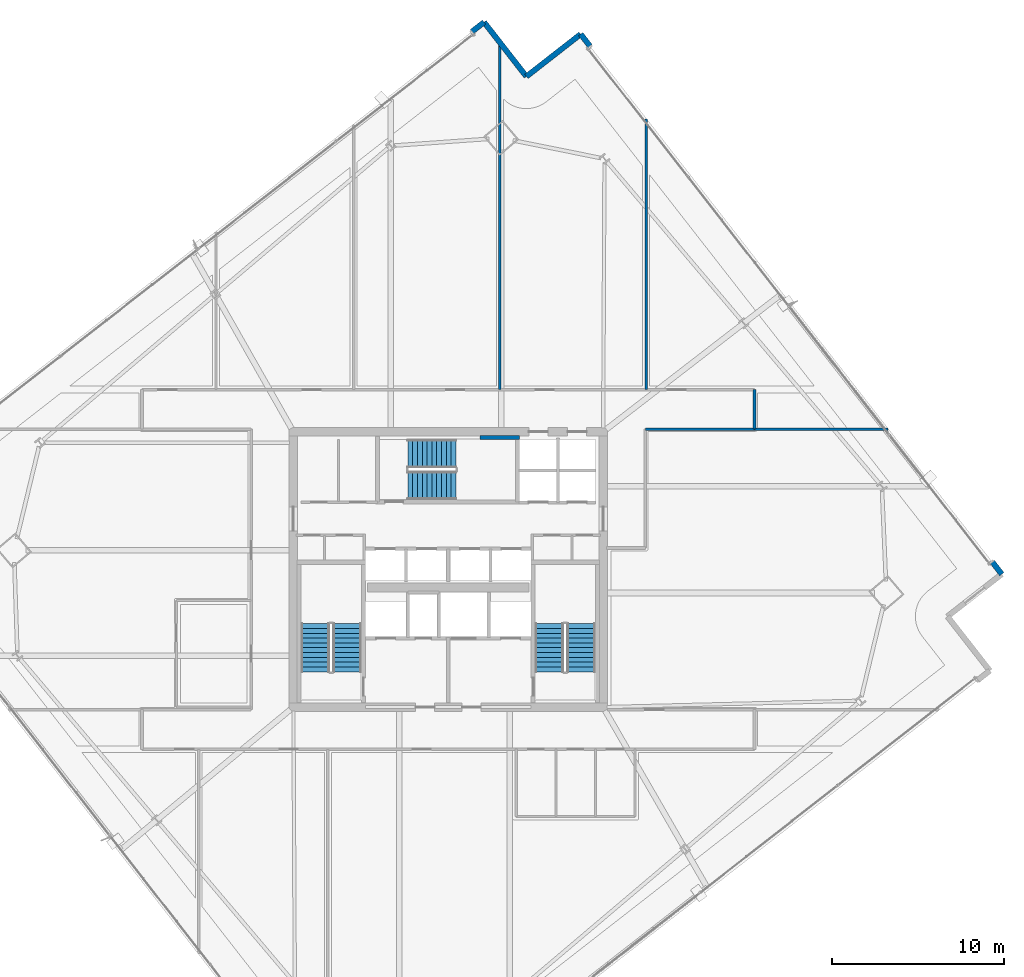
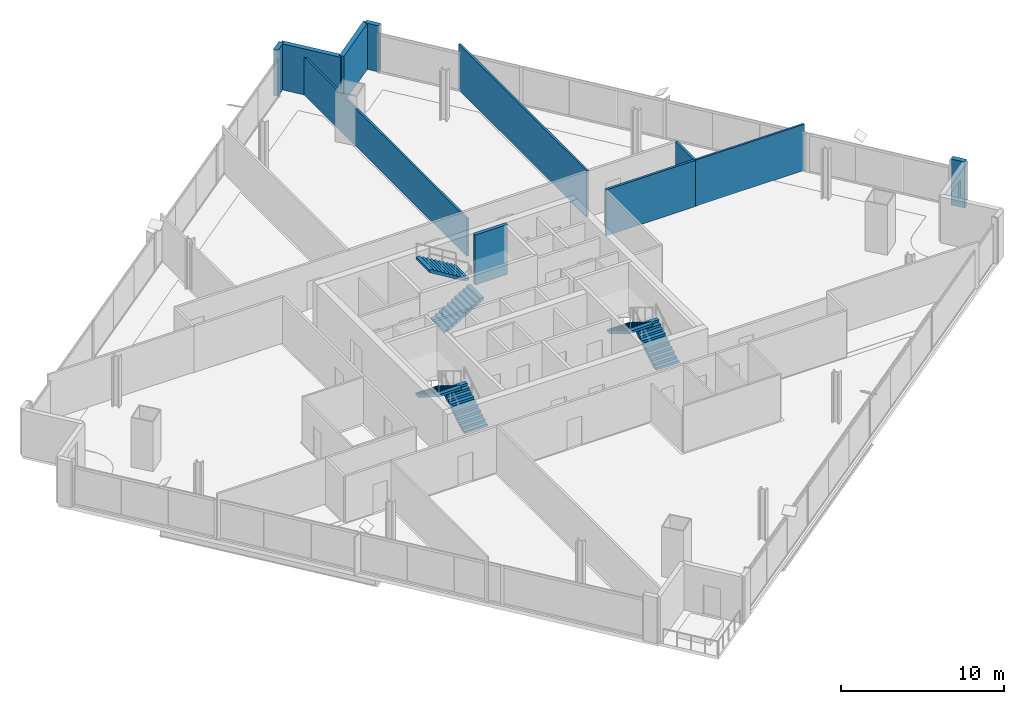
# One storey, part 27 of 32: 11 walls, 6 stair flights, 3 elements without a shape of their own.
"""IFC4 building model written with IfcOpenShell, lengths in metres."""

from ifc_helpers import new_model, si_unit, direction, frame, frame_2d, origin, place, context, subcontext, project, spatial, polyline, rectangle, outline, extrude, material, layer, layer_set, type_object, element, aggregate, save


model = new_model("IFC4")

# Units and contexts
model_context = context("Model", 3, precision=1e-05, world=origin(), true_north=direction((0.0, 1.0)))
body_context = subcontext(model_context, "Body", "Model", "MODEL_VIEW")
ifc_project = project(units=[si_unit("LENGTHUNIT", "METRE"), si_unit("AREAUNIT", "SQUARE_METRE"), si_unit("VOLUMEUNIT", "CUBIC_METRE"), si_unit("PLANEANGLEUNIT", "RADIAN"), si_unit("MASSUNIT", "GRAM", prefix="KILO")], contexts=[model_context])

# Site, building, storey
site_placement = place(None, origin())
site = spatial("IfcSite", under=ifc_project, at=site_placement, CompositionType="ELEMENT")
building_placement = place(site_placement, origin())
building = spatial("IfcBuilding", under=site, at=building_placement, Name="Haldenkirk Collegiate Tower", CompositionType="ELEMENT")
storey_placement = place(building_placement, frame((0.0, 0.0, 155.699951171875)))
storey = spatial("IfcBuildingStorey", under=building, at=storey_placement, Name="L38", CompositionType="ELEMENT", Elevation=155.699951171875)

# Walls
ifc_material_1 = material(Name="Precast concrete f'c 40 MPa", Category="concrete")
ifc_layer_1 = layer(ifc_material_1, 0.320068359375)
ifc_layer_set_1 = layer_set([ifc_layer_1], Name="Precast concrete f'c 40 MPa")
wall_type_1 = type_object("IfcWallType", Name="WL-EXT-TWR-320", PredefinedType="STANDARD", material=ifc_layer_set_1)
for number, where, z_axis, x_axis, name in (
    (1, (43.69482421875, 57.110595703125, 0.0), (0.0, 0.0, 1.0), (0.614954214778, -0.788562815333, 0.0), "L38 precast corner pier EL"),
    (2, (67.617431640625, 26.43603515625, 0.0), (0.0, 0.0, 1.0), (0.614954214778, -0.788562815333, 0.0), "L38 precast corner pier ER"),
):
    element("IfcWall", number, at=place(storey_placement, frame(where, z_axis=z_axis, x_axis=x_axis)), inside=storey, type_object=wall_type_1, Name=name, PredefinedType="STANDARD", context=body_context, shape_type="SweptSolid", body=[
        extrude(rectangle(XDim=0.89990234375, YDim=0.320068359375, at=frame_2d((0.449951171875, 0.0))), origin(), (0.0, 0.0, 1.0), 3.4599609375),
    ])
wall_1_placement = place(storey_placement, frame((40.540771484375, 54.650634765625, 0.0), z_axis=(0.0, 0.0, 1.0), x_axis=(0.788526577195, 0.615000680534, 0.0)))
element("IfcWall", 3, at=wall_1_placement, inside=storey, type_object=wall_type_1, Name="L38 bronze precast notch wall 05", PredefinedType="STANDARD", context=body_context, shape_type="SweptSolid", body=[
    extrude(rectangle(XDim=4.0, YDim=0.320068359375, at=frame_2d((2.0, 0.0))), origin(), (0.0, 0.0, 1.0), 3.4599609375),
])
wall_2_placement = place(storey_placement, frame((38.080810546875, 57.804931640625, 0.0), z_axis=(0.0, 0.0, 1.0), x_axis=(0.614971082366, -0.788549660994, 0.0)))
element("IfcWall", 4, at=wall_2_placement, inside=storey, type_object=wall_type_1, Name="L38 bronze precast notch wall 06", PredefinedType="STANDARD", context=body_context, shape_type="SweptSolid", body=[
    extrude(rectangle(XDim=4.000244140625, YDim=0.320068359375, at=frame_2d((2.0, 0.0))), origin(), (0.0, 0.0, 1.0), 3.4599609375),
])
wall_3_placement = place(storey_placement, frame((37.37109375, 57.25146484375, 0.0), z_axis=(0.0, 0.0, 1.0), x_axis=(0.788562815333, 0.614954214778, 0.0)))
element("IfcWall", 5, at=wall_3_placement, inside=storey, type_object=wall_type_1, Name="L38 precast corner pier NR", PredefinedType="STANDARD", context=body_context, shape_type="SweptSolid", body=[
    extrude(rectangle(XDim=0.89990234375, YDim=0.320068359375, at=frame_2d((0.449951171875, 0.0))), origin(), (0.0, 0.0, 1.0), 3.4599609375),
])
ifc_material_2 = material(Name="Acoustic fire-rated gypsum partition", Category="concrete")
ifc_layer_2 = layer(ifc_material_2, 0.159912109375)
ifc_layer_set_2 = layer_set([ifc_layer_2], Name="Acoustic fire-rated gypsum partition")
wall_type_2 = type_object("IfcWallType", Name="WL-INT-CORR-160", PredefinedType="PARTITIONING", material=ifc_layer_set_2)
wall_4_placement = place(storey_placement, frame((47.449951171875, 34.14990234375, 0.0), z_axis=(0.0, 0.0, 1.0), x_axis=(1.0, 0.0, 0.0)))
element("IfcWall", 6, at=wall_4_placement, inside=storey, type_object=wall_type_2, Name="L38 interior partition IW-L38-CNE", PredefinedType="PARTITIONING", context=body_context, shape_type="SweptSolid", body=[
    extrude(rectangle(XDim=6.35009765625, YDim=0.159912109375, at=frame_2d((3.175048828125, 0.0))), origin(), (0.0, 0.0, 1.0), 3.4599609375),
])
wall_5_placement = place(storey_placement, frame((53.800048828125, 34.14990234375, 0.0), z_axis=(0.0, 0.0, 1.0), x_axis=(0.0, 1.0, 0.0)))
element("IfcWall", 7, at=wall_5_placement, inside=storey, type_object=wall_type_2, Name="L38 interior partition IW-L38-CNR", PredefinedType="PARTITIONING", context=body_context, shape_type="SweptSolid", body=[
    extrude(rectangle(XDim=2.300048828125, YDim=0.159912109375, at=frame_2d((1.14990234375, 0.0))), origin(), (0.0, 0.0, 1.0), 3.4599609375),
])
ifc_layer_3 = layer(ifc_material_2, 0.139892578125)
ifc_layer_set_3 = layer_set([ifc_layer_3], Name="Acoustic fire-rated gypsum partition")
wall_type_3 = type_object("IfcWallType", Name="WL-INT-DIV-140", PredefinedType="PARTITIONING", material=ifc_layer_set_3)
wall_6_placement = place(storey_placement, frame((53.800048828125, 34.14990234375, 0.0), z_axis=(0.0, 0.0, 1.0), x_axis=(1.0, 0.0, 0.0)))
element("IfcWall", 8, at=wall_6_placement, inside=storey, type_object=wall_type_3, Name="L38 interior partition IW-L38-BEN", PredefinedType="PARTITIONING", context=body_context, shape_type="SweptSolid", body=[
    extrude(rectangle(XDim=7.750732421875, YDim=0.139892578125, at=frame_2d((3.87548828125, 0.0))), origin(), (0.0, 0.0, 1.0), 3.4599609375),
])
wall_7_placement = place(storey_placement, frame((39.0, 36.449951171875, 0.0), z_axis=(0.0, 0.0, 1.0), x_axis=(0.0, 1.0, 0.0)))
element("IfcWall", 9, at=wall_7_placement, inside=storey, type_object=wall_type_3, Name="L38 interior partition IW-L38-RN3", PredefinedType="PARTITIONING", context=body_context, shape_type="SweptSolid", body=[
    extrude(rectangle(XDim=20.111328125, YDim=0.139892578125, at=frame_2d((10.0556640625, 0.0))), origin(), (0.0, 0.0, 1.0), 2.839111328125),
])
wall_8_placement = place(storey_placement, frame((47.5, 36.449951171875, 0.0), z_axis=(0.0, 0.0, 1.0), x_axis=(0.0, 1.0, 0.0)))
element("IfcWall", 10, at=wall_8_placement, inside=storey, type_object=wall_type_3, Name="L38 interior partition IW-L38-RN4", PredefinedType="PARTITIONING", context=body_context, shape_type="SweptSolid", body=[
    extrude(rectangle(XDim=15.716552734375, YDim=0.139892578125, at=frame_2d((7.8583984375, 0.0))), origin(), (0.0, 0.0, 1.0), 3.4599609375),
])
ifc_material_3 = material(Name="Concrete f'c 55 MPa", Category="concrete")
ifc_layer_4 = layer(ifc_material_3, 0.239990234375)
ifc_layer_set_4 = layer_set([ifc_layer_4], Name="Concrete f'c 55 MPa")
wall_type_4 = type_object("IfcWallType", Name="WL-SHAFT-240", PredefinedType="SHEAR", material=ifc_layer_set_4)
wall_9_placement = place(storey_placement, frame((37.85009765625, 33.659912109375, 0.0), z_axis=(0.0, 0.0, 1.0), x_axis=(1.0, 0.0, 0.0)))
element("IfcWall", 11, at=wall_9_placement, inside=storey, type_object=wall_type_4, Name="L38 stair shaft shear wall SW-L38-ST3N", PredefinedType="SHEAR", context=body_context, shape_type="SweptSolid", body=[
    extrude(rectangle(XDim=2.289794921875, YDim=0.239990234375, at=frame_2d((1.14501953125, 0.0))), origin(), (0.0, 0.0, 1.0), 3.75),
])

# Stair, stair flights
ifc_material_4 = material(Name="Concrete f'c 40 MPa", Category="concrete")
stair_type = type_object("IfcStairType", Name="STR-DOGLEG-1650", PredefinedType="HALF_TURN_STAIR", material=ifc_material_4)
stair_1_placement = place(storey_placement, origin())
stair_1 = element("IfcStair", 12, at=stair_1_placement, inside=storey, type_object=stair_type, Name="L38 Core Exit Stair ST-1", PredefinedType="HALF_TURN_STAIR")
stair_flight_type = type_object("IfcStairFlightType", Name="STF-FLIGHT-1650", PredefinedType="STRAIGHT", material=ifc_material_4)
stair_flight_1_placement = place(storey_placement, frame((30.125, 20.050048828125, 0.0), z_axis=(0.0, 0.0, 1.0), x_axis=(0.0, 1.0, 0.0)))
stair_flight_1 = element("IfcStairFlight", 13, at=stair_flight_1_placement, type_object=stair_flight_type, Name="ST-1 flight 1", NumberOfRisers=11, NumberOfTreads=10, PredefinedType="STRAIGHT", RiserHeight=0.170454545, TreadLength=0.28, context=body_context, shape_type="SweptSolid", body=[
    extrude(outline(polyline([(0.0, 0.0), (0.0, 0.17041015625), (0.280029296875, 0.17041015625), (0.280029296875, 0.3408203125), (0.56005859375, 0.3408203125), (0.56005859375, 0.511474609375), (0.840087890625, 0.511474609375), (0.840087890625, 0.681884765625), (1.1201171875, 0.681884765625), (1.1201171875, 0.852294921875), (1.39990234375, 0.852294921875), (1.39990234375, 1.022705078125), (1.679931640625, 1.022705078125), (1.679931640625, 1.193115234375), (1.9599609375, 1.193115234375), (1.9599609375, 1.363525390625), (2.239990234375, 1.363525390625), (2.239990234375, 1.5341796875), (2.52001953125, 1.5341796875), (2.52001953125, 1.70458984375), (2.800048828125, 1.70458984375), (2.800048828125, 1.875), (2.800048828125, 1.529052734375), (0.288330078125, 0.0), (0.0, 0.0)])), frame((0.0, 0.824951171875, 0.0), z_axis=(0.0, -1.0, 0.0), x_axis=(1.0, 0.0, 0.0)), (0.0, 0.0, 1.0), 1.64990234375),
])
stair_flight_2_placement = place(storey_placement, frame((28.27490234375, 22.85009765625, 1.875), z_axis=(0.0, 0.0, 1.0), x_axis=(0.0, -1.0, 0.0)))
stair_flight_2 = element("IfcStairFlight", 14, at=stair_flight_2_placement, type_object=stair_flight_type, Name="ST-1 flight 2", NumberOfRisers=11, NumberOfTreads=10, PredefinedType="STRAIGHT", RiserHeight=0.170454545, TreadLength=0.28, context=body_context, shape_type="SweptSolid", body=[
    extrude(outline(polyline([(0.0, 0.0), (0.0, 0.17041015625), (0.280029296875, 0.17041015625), (0.280029296875, 0.3408203125), (0.56005859375, 0.3408203125), (0.56005859375, 0.511474609375), (0.840087890625, 0.511474609375), (0.840087890625, 0.681884765625), (1.1201171875, 0.681884765625), (1.1201171875, 0.852294921875), (1.39990234375, 0.852294921875), (1.39990234375, 1.022705078125), (1.679931640625, 1.022705078125), (1.679931640625, 1.193115234375), (1.9599609375, 1.193115234375), (1.9599609375, 1.363525390625), (2.239990234375, 1.363525390625), (2.239990234375, 1.5341796875), (2.52001953125, 1.5341796875), (2.52001953125, 1.70458984375), (2.800048828125, 1.70458984375), (2.800048828125, 1.875), (2.800048828125, 1.529052734375), (0.288330078125, 0.0), (0.0, 0.0)])), frame((0.0, 0.824951171875, 0.0), z_axis=(0.0, -1.0, 0.0), x_axis=(1.0, 0.0, 0.0)), (0.0, 0.0, 1.0), 1.64990234375),
])
aggregate(stair_1, [stair_flight_1, stair_flight_2])

stair_2_placement = place(storey_placement, origin())
stair_2 = element("IfcStair", 15, at=stair_2_placement, inside=storey, type_object=stair_type, Name="L38 Core Exit Stair ST-2", PredefinedType="HALF_TURN_STAIR")
stair_flight_3_placement = place(storey_placement, frame((43.72509765625, 20.050048828125, 0.0), z_axis=(0.0, 0.0, 1.0), x_axis=(0.0, 1.0, 0.0)))
stair_flight_3 = element("IfcStairFlight", 16, at=stair_flight_3_placement, type_object=stair_flight_type, Name="ST-2 flight 1", NumberOfRisers=11, NumberOfTreads=10, PredefinedType="STRAIGHT", RiserHeight=0.170454545, TreadLength=0.28, context=body_context, shape_type="SweptSolid", body=[
    extrude(outline(polyline([(0.0, 0.0), (0.0, 0.17041015625), (0.280029296875, 0.17041015625), (0.280029296875, 0.3408203125), (0.56005859375, 0.3408203125), (0.56005859375, 0.511474609375), (0.840087890625, 0.511474609375), (0.840087890625, 0.681884765625), (1.1201171875, 0.681884765625), (1.1201171875, 0.852294921875), (1.39990234375, 0.852294921875), (1.39990234375, 1.022705078125), (1.679931640625, 1.022705078125), (1.679931640625, 1.193115234375), (1.9599609375, 1.193115234375), (1.9599609375, 1.363525390625), (2.239990234375, 1.363525390625), (2.239990234375, 1.5341796875), (2.52001953125, 1.5341796875), (2.52001953125, 1.70458984375), (2.800048828125, 1.70458984375), (2.800048828125, 1.875), (2.800048828125, 1.529052734375), (0.288330078125, 0.0), (0.0, 0.0)])), frame((0.0, 0.824951171875, 0.0), z_axis=(0.0, -1.0, 0.0), x_axis=(1.0, 0.0, 0.0)), (0.0, 0.0, 1.0), 1.64990234375),
])
stair_flight_4_placement = place(storey_placement, frame((41.875, 22.85009765625, 1.875), z_axis=(0.0, 0.0, 1.0), x_axis=(0.0, -1.0, 0.0)))
stair_flight_4 = element("IfcStairFlight", 17, at=stair_flight_4_placement, type_object=stair_flight_type, Name="ST-2 flight 2", NumberOfRisers=11, NumberOfTreads=10, PredefinedType="STRAIGHT", RiserHeight=0.170454545, TreadLength=0.28, context=body_context, shape_type="SweptSolid", body=[
    extrude(outline(polyline([(0.0, 0.0), (0.0, 0.17041015625), (0.280029296875, 0.17041015625), (0.280029296875, 0.3408203125), (0.56005859375, 0.3408203125), (0.56005859375, 0.511474609375), (0.840087890625, 0.511474609375), (0.840087890625, 0.681884765625), (1.1201171875, 0.681884765625), (1.1201171875, 0.852294921875), (1.39990234375, 0.852294921875), (1.39990234375, 1.022705078125), (1.679931640625, 1.022705078125), (1.679931640625, 1.193115234375), (1.9599609375, 1.193115234375), (1.9599609375, 1.363525390625), (2.239990234375, 1.363525390625), (2.239990234375, 1.5341796875), (2.52001953125, 1.5341796875), (2.52001953125, 1.70458984375), (2.800048828125, 1.70458984375), (2.800048828125, 1.875), (2.800048828125, 1.529052734375), (0.288330078125, 0.0), (0.0, 0.0)])), frame((0.0, 0.824951171875, 0.0), z_axis=(0.0, -1.0, 0.0), x_axis=(1.0, 0.0, 0.0)), (0.0, 0.0, 1.0), 1.64990234375),
])
aggregate(stair_2, [stair_flight_3, stair_flight_4])

stair_3_placement = place(storey_placement, origin())
stair_3 = element("IfcStair", 18, at=stair_3_placement, inside=storey, type_object=stair_type, Name="L38 Core Exit Stair ST-3", PredefinedType="HALF_TURN_STAIR")
stair_flight_5_placement = place(storey_placement, frame((33.64990234375, 30.875, 0.0), z_axis=(0.0, 0.0, 1.0), x_axis=(1.0, 0.0, 0.0)))
stair_flight_5 = element("IfcStairFlight", 19, at=stair_flight_5_placement, type_object=stair_flight_type, Name="ST-3 flight 1", NumberOfRisers=11, NumberOfTreads=10, PredefinedType="STRAIGHT", RiserHeight=0.170454545, TreadLength=0.28, context=body_context, shape_type="SweptSolid", body=[
    extrude(outline(polyline([(0.0, 0.0), (0.0, 0.17041015625), (0.280029296875, 0.17041015625), (0.280029296875, 0.3408203125), (0.56005859375, 0.3408203125), (0.56005859375, 0.511474609375), (0.840087890625, 0.511474609375), (0.840087890625, 0.681884765625), (1.1201171875, 0.681884765625), (1.1201171875, 0.852294921875), (1.39990234375, 0.852294921875), (1.39990234375, 1.022705078125), (1.679931640625, 1.022705078125), (1.679931640625, 1.193115234375), (1.9599609375, 1.193115234375), (1.9599609375, 1.363525390625), (2.239990234375, 1.363525390625), (2.239990234375, 1.5341796875), (2.52001953125, 1.5341796875), (2.52001953125, 1.70458984375), (2.800048828125, 1.70458984375), (2.800048828125, 1.875), (2.800048828125, 1.529052734375), (0.288330078125, 0.0), (0.0, 0.0)])), frame((0.0, 0.824951171875, 0.0), z_axis=(0.0, -1.0, 0.0), x_axis=(1.0, 0.0, 0.0)), (0.0, 0.0, 1.0), 1.64990234375),
])
stair_flight_6_placement = place(storey_placement, frame((36.449951171875, 32.72509765625, 1.875), z_axis=(0.0, 0.0, 1.0), x_axis=(-1.0, 0.0, 0.0)))
stair_flight_6 = element("IfcStairFlight", 20, at=stair_flight_6_placement, type_object=stair_flight_type, Name="ST-3 flight 2", NumberOfRisers=11, NumberOfTreads=10, PredefinedType="STRAIGHT", RiserHeight=0.170454545, TreadLength=0.28, context=body_context, shape_type="SweptSolid", body=[
    extrude(outline(polyline([(0.0, 0.0), (0.0, 0.17041015625), (0.280029296875, 0.17041015625), (0.280029296875, 0.3408203125), (0.56005859375, 0.3408203125), (0.56005859375, 0.511474609375), (0.840087890625, 0.511474609375), (0.840087890625, 0.681884765625), (1.1201171875, 0.681884765625), (1.1201171875, 0.852294921875), (1.39990234375, 0.852294921875), (1.39990234375, 1.022705078125), (1.679931640625, 1.022705078125), (1.679931640625, 1.193115234375), (1.9599609375, 1.193115234375), (1.9599609375, 1.363525390625), (2.239990234375, 1.363525390625), (2.239990234375, 1.5341796875), (2.52001953125, 1.5341796875), (2.52001953125, 1.70458984375), (2.800048828125, 1.70458984375), (2.800048828125, 1.875), (2.800048828125, 1.529052734375), (0.288330078125, 0.0), (0.0, 0.0)])), frame((0.0, 0.824951171875, 0.0), z_axis=(0.0, -1.0, 0.0), x_axis=(1.0, 0.0, 0.0)), (0.0, 0.0, 1.0), 1.64990234375),
])
aggregate(stair_3, [stair_flight_5, stair_flight_6])

save(model, "model.ifc")
